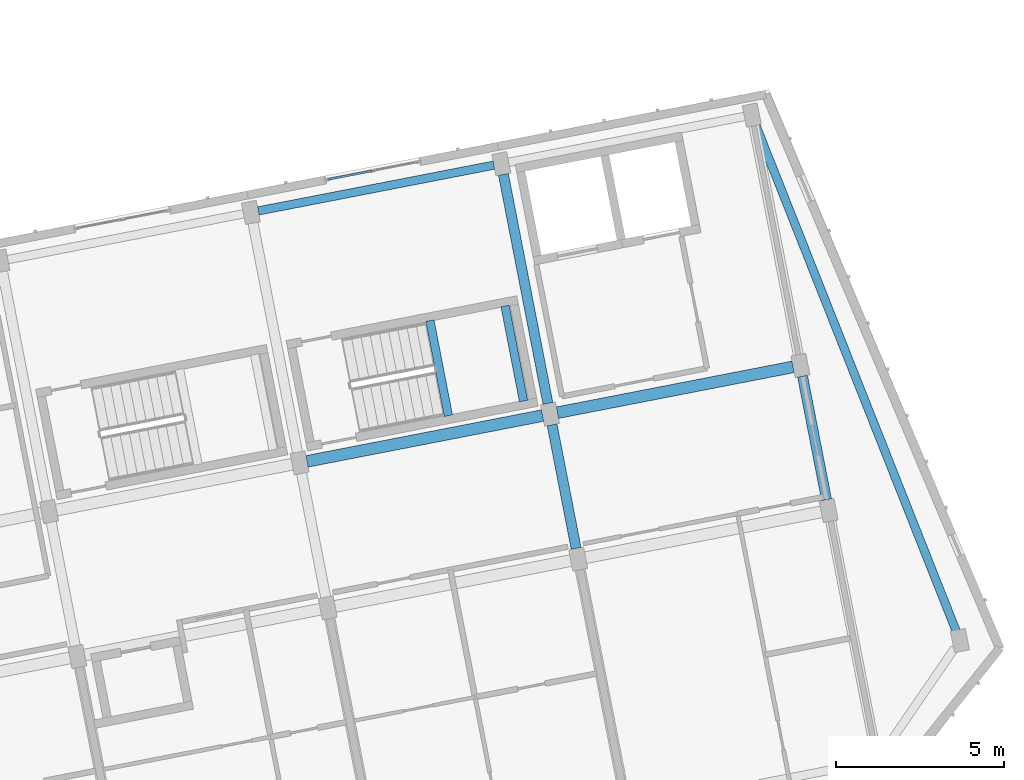
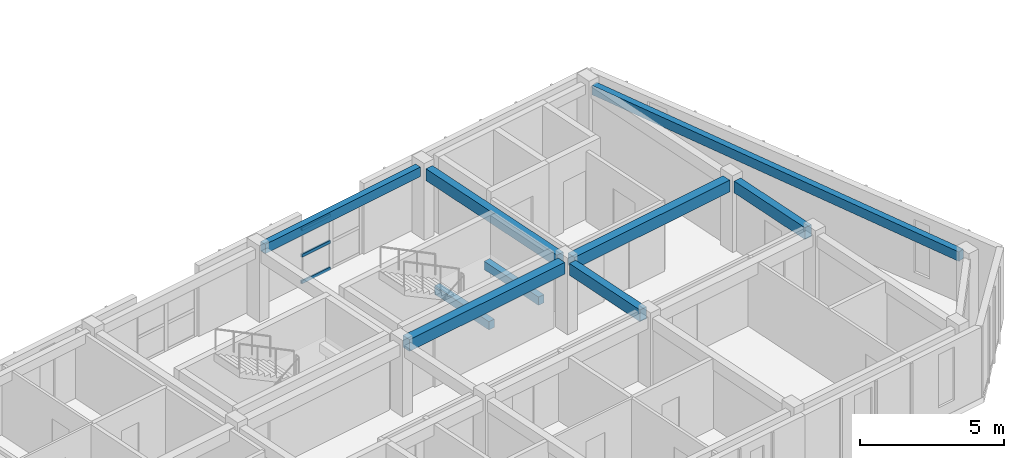
# One storey, part 11 of 68: 9 beams, 3 members, 1 element without a shape of its own.
"""IFC4 building model written with IfcOpenShell, lengths in metres."""

from ifc_helpers import new_model, si_unit, direction, frame, origin, origin_2d, place, context, subcontext, project, spatial, rectangle, hollow_rectangle, extrude, material, material_profile, profile_set, type_object, element, aggregate, save


model = new_model("IFC4")

# Units and contexts
model_context = context("Model", 3, precision=1e-05, world=origin(), true_north=direction((0.0, 1.0)))
body_context = subcontext(model_context, "Body", "Model", "MODEL_VIEW")
ifc_project = project(units=[si_unit("LENGTHUNIT", "METRE"), si_unit("AREAUNIT", "SQUARE_METRE"), si_unit("VOLUMEUNIT", "CUBIC_METRE"), si_unit("PLANEANGLEUNIT", "RADIAN"), si_unit("MASSUNIT", "GRAM", prefix="KILO")], contexts=[model_context])

# Site, building, storey
site_placement = place(None, origin())
site = spatial("IfcSite", under=ifc_project, at=site_placement, CompositionType="ELEMENT")
building_placement = place(site_placement, origin())
building = spatial("IfcBuilding", under=site, at=building_placement, Name="Kestramere Prow Commons", CompositionType="ELEMENT")
storey_placement = place(building_placement, frame((0.0, 0.0, 18.14990234375)))
storey = spatial("IfcBuildingStorey", under=building, at=storey_placement, Name="L05", CompositionType="ELEMENT", Elevation=18.14990234375)

# Beams
ifc_material_1 = material(Name="Precast concrete C40/50", Category="concrete")
ifc_material_profile_1 = material_profile(ifc_material_1, rectangle(XDim=0.35009765625, YDim=0.5, at=origin_2d()), Name="PC-BM 350x500")
ifc_profile_set_1 = profile_set([ifc_material_profile_1], Name="Precast concrete C40/50")
beam_type_1 = type_object("IfcBeamType", Name="BM-D1 PC-BM 350x500", PredefinedType="BEAM", material=ifc_profile_set_1)
for number, where, z_axis, x_axis, name in (
    (1, (146.172607421875, 51.623046875, 2.75), (0.981627472063, 0.190807510571, 0.0), (-0.190807510571, 0.981627472063, 0.0), "Block D L05 Longitudinal Beam 3-5"),
    (2, (153.633056640625, 53.0732421875, 2.75), (0.981627472063, 0.190807510571, 0.0), (-0.190807510571, 0.981627472063, 0.0), "Block D L05 Longitudinal Beam 3-6"),
):
    element("IfcBeam", number, at=place(storey_placement, frame(where, z_axis=z_axis, x_axis=x_axis)), inside=storey, type_object=beam_type_1, Name=name, PredefinedType="BEAM", context=body_context, shape_type="SweptSolid", body=[
        extrude(rectangle(XDim=0.35009765625, YDim=0.5, at=origin_2d()), origin(), (0.0, 0.0, 1.0), 7.14990234375),
    ])
ifc_material_2 = material(Name="Concrete C40/50", Category="concrete")
ifc_material_profile_2 = material_profile(ifc_material_2, rectangle(XDim=0.25, YDim=0.35009765625, at=origin_2d()), Name="PC-BM 250x350")
ifc_profile_set_2 = profile_set([ifc_material_profile_2], Name="Concrete C40/50")
beam_type_2 = type_object("IfcBeamType", Name="BM-ST-TRIM", PredefinedType="BEAM", material=ifc_profile_set_2)
beam_1_placement = place(storey_placement, frame((150.3857421875, 52.98193359375, 1.25), z_axis=(-0.190833481473, 0.981622423516, 0.0), x_axis=(-0.981622423516, -0.190833481473, 0.0)))
element("IfcBeam", 3, at=beam_1_placement, inside=storey, type_object=beam_type_2, Name="ST-D2 L05 Landing Trimmer Beam 1A", PredefinedType="BEAM", context=body_context, shape_type="SweptSolid", body=[
    extrude(rectangle(XDim=0.25, YDim=0.35009765625, at=origin_2d()), origin(), (0.0, 0.0, 1.0), 2.89013671875),
])
beam_2_placement = place(storey_placement, frame((152.623779296875, 53.4169921875, 1.25), z_axis=(-0.190752078966, 0.981638245165, 0.0), x_axis=(-0.981638245165, -0.190752078966, 0.0)))
element("IfcBeam", 4, at=beam_2_placement, inside=storey, type_object=beam_type_2, Name="ST-D2 L05 Landing Trimmer Beam 1B", PredefinedType="BEAM", context=body_context, shape_type="SweptSolid", body=[
    extrude(rectangle(XDim=0.25, YDim=0.35009765625, at=origin_2d()), origin(), (0.0, 0.0, 1.0), 2.889892578125),
])
ifc_material_profile_3 = material_profile(ifc_material_1, rectangle(XDim=0.300048828125, YDim=0.5, at=origin_2d()), Name="PC-BM 300x500")
ifc_profile_set_3 = profile_set([ifc_material_profile_3], Name="Precast concrete C40/50")
beam_type_3 = type_object("IfcBeamType", Name="BM-TIE-01 PC-BM 300x500", PredefinedType="BEAM", material=ifc_profile_set_3)
beam_3_placement = place(storey_placement, frame((154.189697265625, 49.030029296875, 2.75), z_axis=(-0.190817382683, 0.981625553083, 0.0), x_axis=(-0.981625553083, -0.190817382683, 0.0)))
element("IfcBeam", 5, at=beam_3_placement, inside=storey, type_object=beam_type_3, Name="Block D L05 Transverse Beam 6-2", PredefinedType="BEAM", context=body_context, shape_type="SweptSolid", body=[
    extrude(rectangle(XDim=0.300048828125, YDim=0.5, at=origin_2d()), origin(), (0.0, 0.0, 1.0), 3.75),
])
beam_4_placement = place(storey_placement, frame((153.35009765625, 53.349365234375, 2.75), z_axis=(-0.190817005532, 0.981625626397, 0.0), x_axis=(-0.981625626397, -0.190817005532, 0.0)))
element("IfcBeam", 6, at=beam_4_placement, inside=storey, type_object=beam_type_3, Name="Block D L05 Transverse Beam 6-3", PredefinedType="BEAM", context=body_context, shape_type="SweptSolid", body=[
    extrude(rectangle(XDim=0.300048828125, YDim=0.5, at=origin_2d()), origin(), (0.0, 0.0, 1.0), 6.949951171875),
])
beam_5_placement = place(storey_placement, frame((161.650146484375, 50.480224609375, 2.75), z_axis=(-0.190817382683, 0.981625553083, 0.0), x_axis=(-0.981625553083, -0.190817382683, 0.0)))
element("IfcBeam", 7, at=beam_5_placement, inside=storey, type_object=beam_type_3, Name="Block D L05 Transverse Beam 7-2", PredefinedType="BEAM", context=body_context, shape_type="SweptSolid", body=[
    extrude(rectangle(XDim=0.300048828125, YDim=0.5, at=origin_2d()), origin(), (0.0, 0.0, 1.0), 3.75),
])

# Curtain wall, members
ifc_material_3 = material(Name="Anodised Aluminium and Low-E Glass", Category="aluminium")
curtain_wall_type = type_object("IfcCurtainWallType", Name="CW-03 Glazed Curtain Wall 2830x2320", PredefinedType="USERDEFINED", material=ifc_material_3)
curtain_wall_placement = place(storey_placement, origin())
curtain_wall = element("IfcCurtainWall", 8, at=curtain_wall_placement, inside=storey, type_object=curtain_wall_type, Name="Block D L05 Stairwell Vertical Glazing 5", ObjectType="GLAZED CURTAIN WALL", PredefinedType="USERDEFINED")
ifc_material_4 = material(Name="Anodised Aluminium 6063-T6", Category="aluminium")
ifc_material_profile_4 = material_profile(ifc_material_4, hollow_rectangle(XDim=0.06494140625, YDim=0.1298828125, WallThickness=0.00390625, at=origin_2d()), Name="ALU-TRN 65x130")
ifc_profile_set_4 = profile_set([ifc_material_profile_4], Name="Anodised Aluminium 6063-T6")
member_type = type_object("IfcMemberType", Name="CW-TRN-65x130", PredefinedType="USERDEFINED", material=ifc_profile_set_4)
member_1_placement = place(storey_placement, frame((146.806396484375, 60.0234375, 0.03271484375), z_axis=(0.981649131804, 0.190696046182, 0.0), x_axis=(-0.190696046182, 0.981649131804, 0.0)))
member_1 = element("IfcMember", 9, at=member_1_placement, type_object=member_type, Name="CW-03 transom 1.1", ObjectType="TRANSOM", PredefinedType="USERDEFINED", context=body_context, shape_type="SweptSolid", body=[
    extrude(hollow_rectangle(XDim=0.06494140625, YDim=0.1298828125, WallThickness=0.00390625, at=origin_2d()), origin(), (0.0, 0.0, 1.0), 1.3173828125),
])
member_2_placement = place(storey_placement, frame((146.806396484375, 60.0234375, 1.16015625), z_axis=(0.981649131804, 0.190696046182, 0.0), x_axis=(-0.190696046182, 0.981649131804, 0.0)))
member_2 = element("IfcMember", 10, at=member_2_placement, type_object=member_type, Name="CW-03 transom 1.2", ObjectType="TRANSOM", PredefinedType="USERDEFINED", context=body_context, shape_type="SweptSolid", body=[
    extrude(hollow_rectangle(XDim=0.06494140625, YDim=0.1298828125, WallThickness=0.00390625, at=origin_2d()), origin(), (0.0, 0.0, 1.0), 1.3173828125),
])
member_3_placement = place(storey_placement, frame((146.806396484375, 60.0234375, 2.28759765625), z_axis=(0.981649131804, 0.190696046182, 0.0), x_axis=(-0.190696046182, 0.981649131804, 0.0)))
member_3 = element("IfcMember", 11, at=member_3_placement, type_object=member_type, Name="CW-03 transom 1.3", ObjectType="TRANSOM", PredefinedType="USERDEFINED", context=body_context, shape_type="SweptSolid", body=[
    extrude(hollow_rectangle(XDim=0.06494140625, YDim=0.1298828125, WallThickness=0.00390625, at=origin_2d()), origin(), (0.0, 0.0, 1.0), 1.3173828125),
])
aggregate(curtain_wall, [member_1, member_2, member_3])

# Beams
ifc_material_profile_5 = material_profile(ifc_material_1, rectangle(XDim=0.25, YDim=0.39990234375, at=origin_2d()), Name="PC-SP 250x400")
ifc_profile_set_5 = profile_set([ifc_material_profile_5], Name="Precast concrete C40/50")
beam_type_4 = type_object("IfcBeamType", Name="SP-EXT-01 PC-SP 250x400", PredefinedType="SPANDREL", material=ifc_profile_set_5)
beam_6_placement = place(storey_placement, frame((159.525390625, 61.680419921875, 2.800048828125), z_axis=(0.368282919079, -0.929713768595, 0.0), x_axis=(0.929713768595, 0.368282919079, 0.0)))
element("IfcBeam", 12, at=beam_6_placement, inside=storey, type_object=beam_type_4, Name="Block D L05 Prow Facet Beam N", PredefinedType="SPANDREL", context=body_context, shape_type="SweptSolid", body=[
    extrude(rectangle(XDim=0.25, YDim=0.39990234375, at=origin_2d()), origin(), (0.0, 0.0, 1.0), 16.27783203125),
])
beam_7_placement = place(storey_placement, frame((144.722412109375, 59.08349609375, 2.800048828125), z_axis=(0.981628715169, 0.190801115182, 0.0), x_axis=(-0.190801115182, 0.981628715169, 0.0)))
element("IfcBeam", 13, at=beam_7_placement, inside=storey, type_object=beam_type_4, Name="Block D L05 Longitudinal Beam 4-5", PredefinedType="SPANDREL", context=body_context, shape_type="SweptSolid", body=[
    extrude(rectangle(XDim=0.25, YDim=0.39990234375, at=origin_2d()), origin(), (0.0, 0.0, 1.0), 7.150146484375),
])

save(model, "model.ifc")
